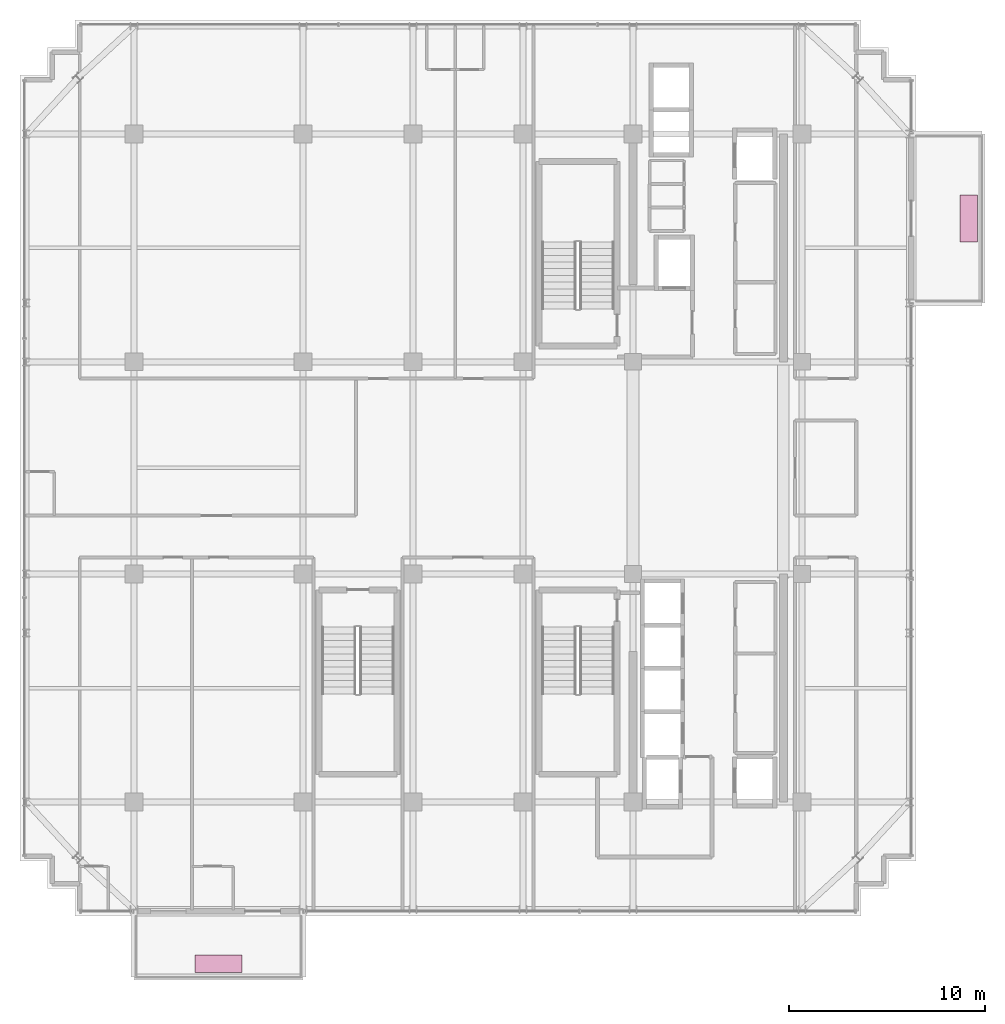
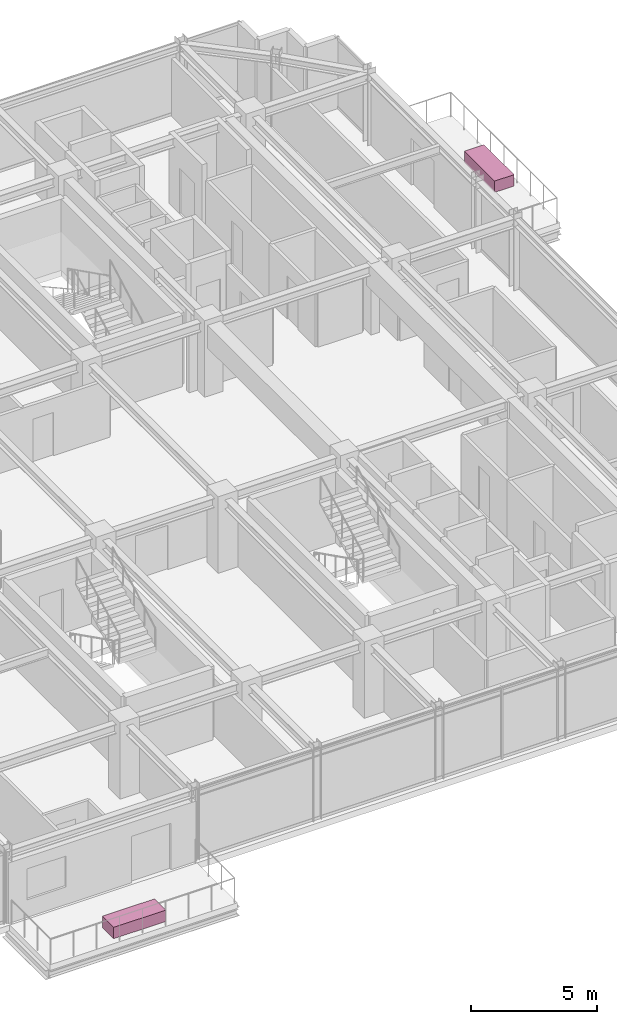
# One storey, part 33 of 33: 2 furnishings.
"""IFC4 building model written with IfcOpenShell, lengths in metres."""

from ifc_helpers import new_model, si_unit, direction, frame, origin, origin_2d, place, context, subcontext, project, spatial, rectangle, extrude, source, transform, mapped, material, type_object, element, save


model = new_model("IFC4")

# Units and contexts
model_context = context("Model", 3, precision=1e-05, world=origin(), true_north=direction((0.0, 1.0)))
body_context = subcontext(model_context, "Body", "Model", "MODEL_VIEW")
ifc_project = project(units=[si_unit("LENGTHUNIT", "METRE"), si_unit("AREAUNIT", "SQUARE_METRE"), si_unit("VOLUMEUNIT", "CUBIC_METRE"), si_unit("PLANEANGLEUNIT", "RADIAN"), si_unit("MASSUNIT", "GRAM", prefix="KILO")], contexts=[model_context])

# Site, building, storey
site_placement = place(None, origin())
site = spatial("IfcSite", under=ifc_project, at=site_placement, CompositionType="ELEMENT")
building_placement = place(site_placement, origin())
building = spatial("IfcBuilding", under=site, at=building_placement, Name="Nahalor Promenade Grand Hotel", CompositionType="ELEMENT")
storey_placement = place(building_placement, frame((0.0, 0.0, 270.050048828125)))
storey = spatial("IfcBuildingStorey", under=building, at=storey_placement, Name="L69", CompositionType="ELEMENT", Elevation=270.050048828125)

# Furnishings
ifc_material = material(Name="Vegetated Volcanic-Lapilli Tree Planter", Category="earth")
furnishing_element_type = type_object("IfcFurnishingElementType", Name="Planter-VerticalForest-Box", material=ifc_material)
shared_shape = source(origin(), body_context, "Body", "SweptSolid", [
    extrude(rectangle(XDim=2.39990234375, YDim=0.89990234375, at=origin_2d()), origin(), (0.0, 0.0, 1.0), 0.550048828125),
])
for number, where, z_axis, x_axis, name in (
    (1, (-12.699951171875, -25.239990234375, 0.0), (0.0, 0.0, 1.0), (1.0, 0.0, 0.0), "L69 Balcony Structural Tree Planter 1"),
    (2, (25.489990234375, 12.699951171875, 0.0), (0.0, 0.0, 1.0), (0.0, 1.0, 0.0), "L69 Balcony Structural Tree Planter 2"),
):
    element("IfcFurnishingElement", number, at=place(storey_placement, frame(where, z_axis=z_axis, x_axis=x_axis)), inside=storey, type_object=furnishing_element_type, Name=name, ObjectType="PLANTER", context=body_context, shape_type="MappedRepresentation", body=[
        mapped(shared_shape, transform((0.0, 0.0, 0.0), scale=1.0)),
    ])

save(model, "model.ifc")
